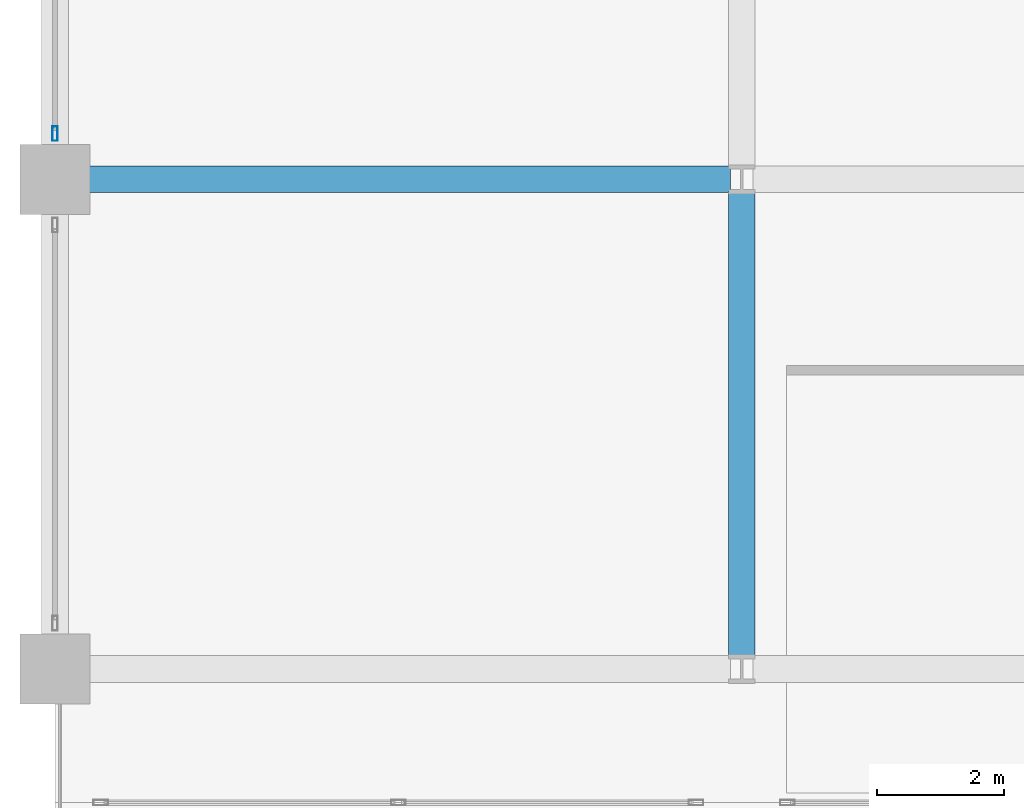
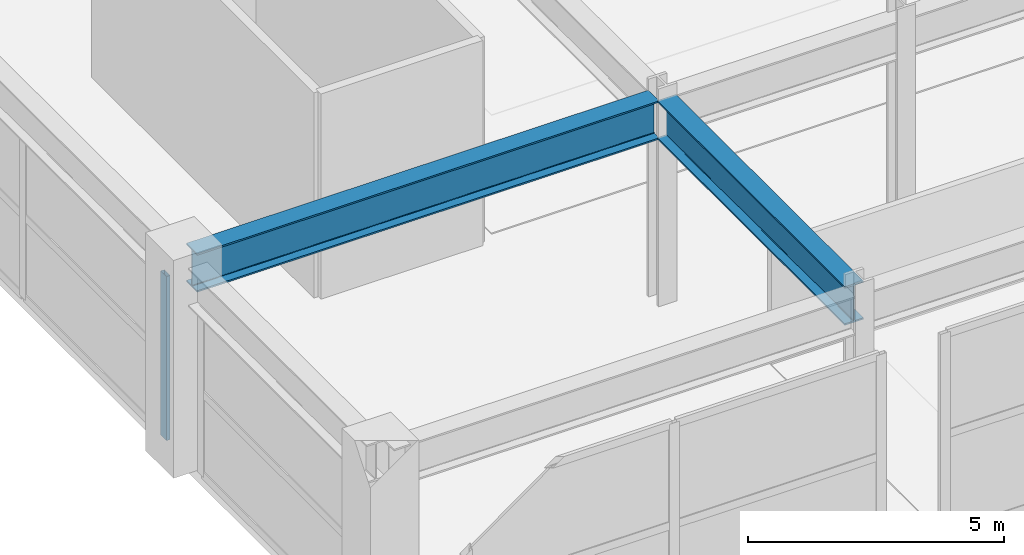
# One storey, part 4 of 35: 2 beams, 1 member, 1 element without a shape of its own.
"""IFC4 building model written with IfcOpenShell, lengths in metres."""

from ifc_helpers import new_model, si_unit, direction, frame, origin, origin_2d, place, context, subcontext, project, spatial, hollow_rectangle, i_section, extrude, material, material_profile, profile_set, type_object, element, aggregate, save


model = new_model("IFC4")

# Units and contexts
model_context = context("Model", 3, precision=1e-05, world=origin(), true_north=direction((0.0, 1.0)))
body_context = subcontext(model_context, "Body", "Model", "MODEL_VIEW")
ifc_project = project(units=[si_unit("LENGTHUNIT", "METRE"), si_unit("AREAUNIT", "SQUARE_METRE"), si_unit("VOLUMEUNIT", "CUBIC_METRE"), si_unit("PLANEANGLEUNIT", "RADIAN"), si_unit("MASSUNIT", "GRAM", prefix="KILO")], contexts=[model_context])

# Site, building, storey
site_placement = place(None, origin())
site = spatial("IfcSite", under=ifc_project, at=site_placement, CompositionType="ELEMENT")
building_placement = place(site_placement, origin())
building = spatial("IfcBuilding", under=site, at=building_placement, Name="Kovane Verandah Tower", CompositionType="ELEMENT")
storey_placement = place(building_placement, frame((0.0, 0.0, 16.39990234375)))
storey = spatial("IfcBuildingStorey", under=building, at=storey_placement, Name="L03", CompositionType="ELEMENT", Elevation=16.39990234375)

# Beams
ifc_material_1 = material(Name="Steel S460", Category="steel")
ifc_material_profile_1 = material_profile(ifc_material_1, i_section(OverallWidth=0.42041015625, OverallDepth=0.9208984375, WebThickness=0.021484375, FlangeThickness=0.03662109375, FilletRadius=0.024169921875, at=origin_2d()), Name="UB914x419x388")
ifc_profile_set_1 = profile_set([ifc_material_profile_1], Name="Steel S460")
beam_type = type_object("IfcBeamType", Name="BM-UB914x388", PredefinedType="BEAM", material=ifc_profile_set_1)
beam_1_placement = place(storey_placement, frame((-1.820068359375, 18.5, 4.439697265625), z_axis=(1.0, 0.0, 0.0), x_axis=(0.0, 1.0, 0.0)))
element("IfcBeam", 1, at=beam_1_placement, inside=storey, type_object=beam_type, Name="L03 Podium Garden Transfer Girder X05", PredefinedType="BEAM", context=body_context, shape_type="SweptSolid", body=[
    extrude(i_section(OverallWidth=0.42041015625, OverallDepth=0.9208984375, WebThickness=0.021484375, FlangeThickness=0.03662109375, FilletRadius=0.024169921875, at=origin_2d()), origin(), (0.0, 0.0, 1.0), 10.440185546875),
])
beam_2_placement = place(storey_placement, frame((8.800048828125, 10.97998046875, 4.439697265625), z_axis=(0.0, 1.0, 0.0), x_axis=(-1.0, 0.0, 0.0)))
element("IfcBeam", 2, at=beam_2_placement, inside=storey, type_object=beam_type, Name="L03 Podium Garden Transfer Girder Y28", PredefinedType="BEAM", context=body_context, shape_type="SweptSolid", body=[
    extrude(i_section(OverallWidth=0.42041015625, OverallDepth=0.9208984375, WebThickness=0.021484375, FlangeThickness=0.03662109375, FilletRadius=0.024169921875, at=origin_2d()), origin(), (0.0, 0.0, 1.0), 7.340087890625),
])

# Curtain wall, member
ifc_material_2 = material(Name="Champagne Anodised Aluminium Frame with Low-E Clear Laminated Glass", Category="aluminium")
curtain_wall_type = type_object("IfcCurtainWallType", Name="CW-SYS-01-POD", PredefinedType="NOTDEFINED", material=ifc_material_2)
curtain_wall_placement = place(storey_placement, origin())
curtain_wall = element("IfcCurtainWall", 3, at=curtain_wall_placement, inside=storey, type_object=curtain_wall_type, Name="L03 West Podium Curtain Wall Bay 3", PredefinedType="NOTDEFINED")
ifc_material_3 = material(Name="Champagne Anodised Aluminium 6063-T6", Category="aluminium")
ifc_material_profile_2 = material_profile(ifc_material_3, hollow_rectangle(XDim=0.0849609375, YDim=0.22998046875, WallThickness=0.00390625, at=origin_2d()), Name="AL85x230x4")
ifc_profile_set_2 = profile_set([ifc_material_profile_2], Name="Champagne Anodised Aluminium 6063-T6")
member_type = type_object("IfcMemberType", Name="CW-MUL-85x230", PredefinedType="MULLION", material=ifc_profile_set_2)
member_placement = place(storey_placement, frame((-2.0, 19.219970703125, 0.02001953125), z_axis=(0.0, 0.0, 1.0), x_axis=(-1.0, 0.0, 0.0)))
member = element("IfcMember", 4, at=member_placement, type_object=member_type, Name="L03 West Podium Curtain Wall Bay 3 Mullion 4", PredefinedType="MULLION", context=body_context, shape_type="SweptSolid", body=[
    extrude(hollow_rectangle(XDim=0.0849609375, YDim=0.22998046875, WallThickness=0.00390625, at=origin_2d()), origin(), (0.0, 0.0, 1.0), 3.919189453125),
])
aggregate(curtain_wall, [member])

save(model, "model.ifc")
